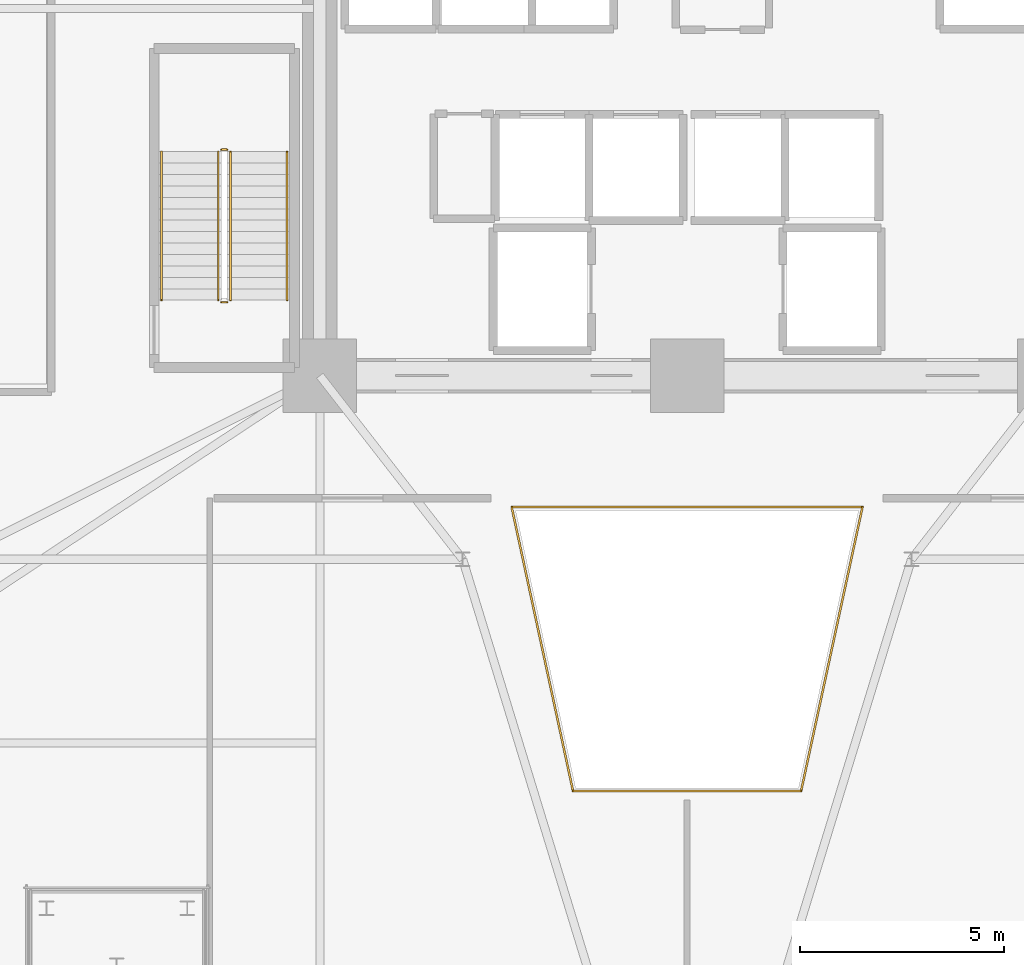
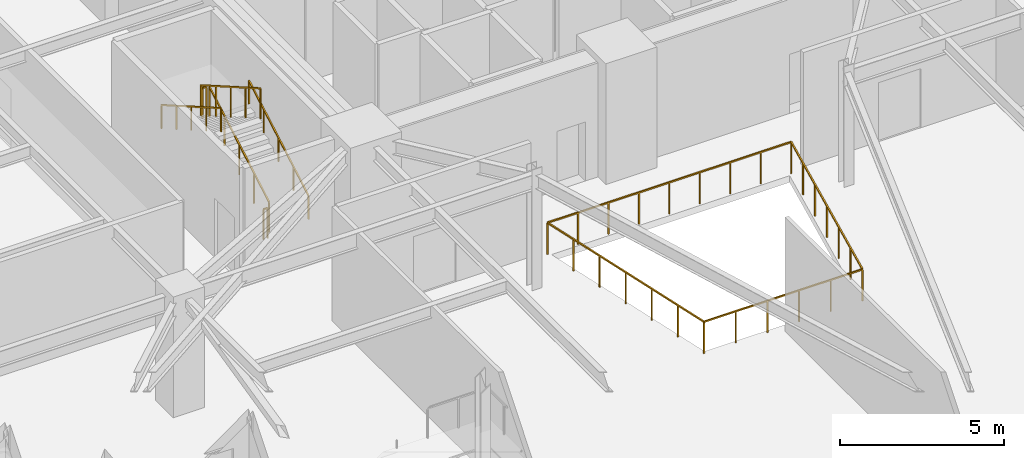
# One storey, part 12 of 16: 10 railings.
"""IFC4 building model written with IfcOpenShell, lengths in metres."""

from ifc_helpers import new_model, si_unit, direction, frame, origin, origin_2d, place, context, subcontext, project, spatial, rectangle, extrude, material, type_object, element, save


model = new_model("IFC4")

# Units and contexts
model_context = context("Model", 3, precision=1e-05, world=origin(), true_north=direction((0.0, 1.0)))
body_context = subcontext(model_context, "Body", "Model", "MODEL_VIEW")
ifc_project = project(units=[si_unit("LENGTHUNIT", "METRE"), si_unit("AREAUNIT", "SQUARE_METRE"), si_unit("VOLUMEUNIT", "CUBIC_METRE"), si_unit("PLANEANGLEUNIT", "RADIAN"), si_unit("MASSUNIT", "GRAM", prefix="KILO")], contexts=[model_context])

# Site, building, storey
site_placement = place(None, origin())
site = spatial("IfcSite", under=ifc_project, at=site_placement, CompositionType="ELEMENT")
building_placement = place(site_placement, origin())
building = spatial("IfcBuilding", under=site, at=building_placement, Name="Liaohun Quay Tower", CompositionType="ELEMENT")
storey_placement = place(building_placement, frame((0.0, 0.0, 14.39990234375)))
storey = spatial("IfcBuildingStorey", under=building, at=storey_placement, Name="L04", CompositionType="ELEMENT", Elevation=14.39990234375)

# Railings
ifc_material_1 = material(Name="Laminated safety glass and stainless steel", Category="steel")
railing_type_1 = type_object("IfcRailingType", Name="RLG-GUARD-ATR", PredefinedType="BALUSTRADE", material=ifc_material_1)
railing_1_placement = place(storey_placement, frame((57.205078125, 36.320068359375, 0.0)))
element("IfcRailing", 1, at=railing_1_placement, inside=storey, type_object=railing_type_1, Name="L04 Atrium Edge Balustrade 1", PredefinedType="BALUSTRADE", context=body_context, shape_type="SweptSolid", body=[
    extrude(rectangle(XDim=0.048095703125, YDim=0.048095703125, at=origin_2d()), frame((0.0, 0.0, 1.17578125), z_axis=(-0.211238067479, 0.977434641727, 0.0), x_axis=(-0.977434641727, -0.211238067479, 0.0)), (0.0, 0.0, 1.0), 7.12060546875),
    extrude(rectangle(XDim=0.0419921875, YDim=0.0419921875, at=origin_2d()), origin(), (0.0, 0.0, 1.0), 1.15185546875),
    extrude(rectangle(XDim=0.0419921875, YDim=0.0419921875, at=origin_2d()), frame((-0.250732421875, 1.159912109375, 0.0)), (0.0, 0.0, 1.0), 1.15185546875),
    extrude(rectangle(XDim=0.0419921875, YDim=0.0419921875, at=origin_2d()), frame((-0.50146484375, 2.320068359375, 0.0)), (0.0, 0.0, 1.0), 1.15185546875),
    extrude(rectangle(XDim=0.0419921875, YDim=0.0419921875, at=origin_2d()), frame((-0.751953125, 3.47998046875, 0.0)), (0.0, 0.0, 1.0), 1.15185546875),
    extrude(rectangle(XDim=0.0419921875, YDim=0.0419921875, at=origin_2d()), frame((-1.002685546875, 4.639892578125, 0.0)), (0.0, 0.0, 1.0), 1.15185546875),
    extrude(rectangle(XDim=0.0419921875, YDim=0.0419921875, at=origin_2d()), frame((-1.25341796875, 5.800048828125, 0.0)), (0.0, 0.0, 1.0), 1.15185546875),
    extrude(rectangle(XDim=0.0419921875, YDim=0.0419921875, at=origin_2d()), frame((-1.504150390625, 6.9599609375, 0.0)), (0.0, 0.0, 1.0), 1.15185546875),
])
railing_2_placement = place(storey_placement, frame((55.700927734375, 43.280029296875, 0.0)))
element("IfcRailing", 2, at=railing_2_placement, inside=storey, type_object=railing_type_1, Name="L04 Atrium Edge Balustrade 2", PredefinedType="BALUSTRADE", context=body_context, shape_type="SweptSolid", body=[
    extrude(rectangle(XDim=0.048095703125, YDim=0.048095703125, at=origin_2d()), frame((0.0, 0.0, 1.17578125), z_axis=(1.0, 0.0, 0.0), x_axis=(0.0, 1.0, 0.0)), (0.0, 0.0, 1.0), 8.59814453125),
    extrude(rectangle(XDim=0.0419921875, YDim=0.0419921875, at=origin_2d()), origin(), (0.0, 0.0, 1.0), 1.15185546875),
    extrude(rectangle(XDim=0.0419921875, YDim=0.0419921875, at=origin_2d()), frame((1.07470703125, 0.0, 0.0)), (0.0, 0.0, 1.0), 1.15185546875),
    extrude(rectangle(XDim=0.0419921875, YDim=0.0419921875, at=origin_2d()), frame((2.1494140625, 0.0, 0.0)), (0.0, 0.0, 1.0), 1.15185546875),
    extrude(rectangle(XDim=0.0419921875, YDim=0.0419921875, at=origin_2d()), frame((3.224365234375, 0.0, 0.0)), (0.0, 0.0, 1.0), 1.15185546875),
    extrude(rectangle(XDim=0.0419921875, YDim=0.0419921875, at=origin_2d()), frame((4.299072265625, 0.0, 0.0)), (0.0, 0.0, 1.0), 1.15185546875),
    extrude(rectangle(XDim=0.0419921875, YDim=0.0419921875, at=origin_2d()), frame((5.373779296875, 0.0, 0.0)), (0.0, 0.0, 1.0), 1.15185546875),
    extrude(rectangle(XDim=0.0419921875, YDim=0.0419921875, at=origin_2d()), frame((6.44873046875, 0.0, 0.0)), (0.0, 0.0, 1.0), 1.15185546875),
    extrude(rectangle(XDim=0.0419921875, YDim=0.0419921875, at=origin_2d()), frame((7.5234375, 0.0, 0.0)), (0.0, 0.0, 1.0), 1.15185546875),
    extrude(rectangle(XDim=0.0419921875, YDim=0.0419921875, at=origin_2d()), frame((8.59814453125, 0.0, 0.0)), (0.0, 0.0, 1.0), 1.15185546875),
])
railing_3_placement = place(storey_placement, frame((64.299072265625, 43.280029296875, 0.0)))
element("IfcRailing", 3, at=railing_3_placement, inside=storey, type_object=railing_type_1, Name="L04 Atrium Edge Balustrade 3", PredefinedType="BALUSTRADE", context=body_context, shape_type="SweptSolid", body=[
    extrude(rectangle(XDim=0.048095703125, YDim=0.048095703125, at=origin_2d()), frame((0.0, 0.0, 1.17578125), z_axis=(-0.211238067479, -0.977434641727, 0.0), x_axis=(0.977434641727, -0.211238067479, 0.0)), (0.0, 0.0, 1.0), 7.12060546875),
    extrude(rectangle(XDim=0.0419921875, YDim=0.0419921875, at=origin_2d()), origin(), (0.0, 0.0, 1.0), 1.15185546875),
    extrude(rectangle(XDim=0.0419921875, YDim=0.0419921875, at=origin_2d()), frame((-0.250732421875, -1.159912109375, 0.0)), (0.0, 0.0, 1.0), 1.15185546875),
    extrude(rectangle(XDim=0.0419921875, YDim=0.0419921875, at=origin_2d()), frame((-0.50146484375, -2.320068359375, 0.0)), (0.0, 0.0, 1.0), 1.15185546875),
    extrude(rectangle(XDim=0.0419921875, YDim=0.0419921875, at=origin_2d()), frame((-0.751953125, -3.47998046875, 0.0)), (0.0, 0.0, 1.0), 1.15185546875),
    extrude(rectangle(XDim=0.0419921875, YDim=0.0419921875, at=origin_2d()), frame((-1.002685546875, -4.639892578125, 0.0)), (0.0, 0.0, 1.0), 1.15185546875),
    extrude(rectangle(XDim=0.0419921875, YDim=0.0419921875, at=origin_2d()), frame((-1.25341796875, -5.800048828125, 0.0)), (0.0, 0.0, 1.0), 1.15185546875),
    extrude(rectangle(XDim=0.0419921875, YDim=0.0419921875, at=origin_2d()), frame((-1.504150390625, -6.9599609375, 0.0)), (0.0, 0.0, 1.0), 1.15185546875),
])
railing_4_placement = place(storey_placement, frame((62.794921875, 36.320068359375, 0.0)))
element("IfcRailing", 4, at=railing_4_placement, inside=storey, type_object=railing_type_1, Name="L04 Atrium Edge Balustrade 4", PredefinedType="BALUSTRADE", context=body_context, shape_type="SweptSolid", body=[
    extrude(rectangle(XDim=0.048095703125, YDim=0.048095703125, at=origin_2d()), frame((0.0, 0.0, 1.17578125), z_axis=(-1.0, 0.0, 0.0), x_axis=(0.0, -1.0, 0.0)), (0.0, 0.0, 1.0), 5.58984375),
    extrude(rectangle(XDim=0.0419921875, YDim=0.0419921875, at=origin_2d()), origin(), (0.0, 0.0, 1.0), 1.15185546875),
    extrude(rectangle(XDim=0.0419921875, YDim=0.0419921875, at=origin_2d()), frame((-1.117919921875, 0.0, 0.0)), (0.0, 0.0, 1.0), 1.15185546875),
    extrude(rectangle(XDim=0.0419921875, YDim=0.0419921875, at=origin_2d()), frame((-2.23583984375, 0.0, 0.0)), (0.0, 0.0, 1.0), 1.15185546875),
    extrude(rectangle(XDim=0.0419921875, YDim=0.0419921875, at=origin_2d()), frame((-3.35400390625, 0.0, 0.0)), (0.0, 0.0, 1.0), 1.15185546875),
    extrude(rectangle(XDim=0.0419921875, YDim=0.0419921875, at=origin_2d()), frame((-4.471923828125, 0.0, 0.0)), (0.0, 0.0, 1.0), 1.15185546875),
    extrude(rectangle(XDim=0.0419921875, YDim=0.0419921875, at=origin_2d()), frame((-5.58984375, 0.0, 0.0)), (0.0, 0.0, 1.0), 1.15185546875),
])
ifc_material_2 = material(Name="Painted tubular steel", Category="steel")
railing_type_2 = type_object("IfcRailingType", Name="RLG-GUARD-STR", PredefinedType="GUARDRAIL", material=ifc_material_2)
railing_5_placement = place(storey_placement, frame((48.81005859375, 48.35009765625, 0.160888671875)))
element("IfcRailing", 5, at=railing_5_placement, inside=storey, type_object=railing_type_2, Name="L04 ST-1 stair guard 1", PredefinedType="GUARDRAIL", context=body_context, shape_type="SweptSolid", body=[
    extrude(rectangle(XDim=0.048095703125, YDim=0.048095703125, at=origin_2d()), frame((0.0, 0.0, 1.1259765625), z_axis=(0.0, 0.867300072446, 0.497785681127), x_axis=(-1.0, 0.0, 0.0)), (0.0, 0.0, 1.0), 4.19677734375),
    extrude(rectangle(XDim=0.0419921875, YDim=0.0419921875, at=origin_2d()), origin(), (0.0, 0.0, 1.0), 1.101806640625),
    extrude(rectangle(XDim=0.0419921875, YDim=0.0419921875, at=origin_2d()), frame((0.0, 0.909912109375, 0.522216796875)), (0.0, 0.0, 1.0), 1.101806640625),
    extrude(rectangle(XDim=0.0419921875, YDim=0.0419921875, at=origin_2d()), frame((0.0, 1.81982421875, 1.04443359375)), (0.0, 0.0, 1.0), 1.101806640625),
    extrude(rectangle(XDim=0.0419921875, YDim=0.0419921875, at=origin_2d()), frame((0.0, 2.72998046875, 1.56689453125)), (0.0, 0.0, 1.0), 1.101806640625),
    extrude(rectangle(XDim=0.0419921875, YDim=0.0419921875, at=origin_2d()), frame((0.0, 3.639892578125, 2.089111328125)), (0.0, 0.0, 1.0), 1.101806640625),
])
railing_6_placement = place(storey_placement, frame((48.72998046875, 52.0400390625, 2.25)))
element("IfcRailing", 6, at=railing_6_placement, inside=storey, type_object=railing_type_2, Name="L04 ST-1 stair guard 2", PredefinedType="GUARDRAIL", context=body_context, shape_type="SweptSolid", body=[
    extrude(rectangle(XDim=0.048095703125, YDim=0.048095703125, at=origin_2d()), frame((0.0, 0.0, 1.1259765625), z_axis=(-1.0, 0.0, 0.0), x_axis=(0.0, -1.0, 0.0)), (0.0, 0.0, 1.0), 0.139892578125),
    extrude(rectangle(XDim=0.0419921875, YDim=0.0419921875, at=origin_2d()), origin(), (0.0, 0.0, 1.0), 1.101806640625),
    extrude(rectangle(XDim=0.0419921875, YDim=0.0419921875, at=origin_2d()), frame((-0.139892578125, 0.0, 0.0)), (0.0, 0.0, 1.0), 1.101806640625),
])
railing_7_placement = place(storey_placement, frame((48.510009765625, 51.989990234375, 2.410888671875)))
element("IfcRailing", 7, at=railing_7_placement, inside=storey, type_object=railing_type_2, Name="L04 ST-1 stair guard 3", PredefinedType="GUARDRAIL", context=body_context, shape_type="SweptSolid", body=[
    extrude(rectangle(XDim=0.048095703125, YDim=0.048095703125, at=origin_2d()), frame((0.0, 0.0, 1.1259765625), z_axis=(0.0, -0.867300072446, 0.497785681127), x_axis=(1.0, 0.0, 0.0)), (0.0, 0.0, 1.0), 4.19677734375),
    extrude(rectangle(XDim=0.0419921875, YDim=0.0419921875, at=origin_2d()), origin(), (0.0, 0.0, 1.0), 1.101806640625),
    extrude(rectangle(XDim=0.0419921875, YDim=0.0419921875, at=origin_2d()), frame((0.0, -0.909912109375, 0.522216796875)), (0.0, 0.0, 1.0), 1.101806640625),
    extrude(rectangle(XDim=0.0419921875, YDim=0.0419921875, at=origin_2d()), frame((0.0, -1.81982421875, 1.04443359375)), (0.0, 0.0, 1.0), 1.101806640625),
    extrude(rectangle(XDim=0.0419921875, YDim=0.0419921875, at=origin_2d()), frame((0.0, -2.72998046875, 1.56689453125)), (0.0, 0.0, 1.0), 1.101806640625),
    extrude(rectangle(XDim=0.0419921875, YDim=0.0419921875, at=origin_2d()), frame((0.0, -3.639892578125, 2.089111328125)), (0.0, 0.0, 1.0), 1.101806640625),
])
railing_8_placement = place(storey_placement, frame((48.72998046875, 48.300048828125, 0.0)))
element("IfcRailing", 8, at=railing_8_placement, inside=storey, type_object=railing_type_2, Name="L04 ST-1 stair guard 4", PredefinedType="GUARDRAIL", context=body_context, shape_type="SweptSolid", body=[
    extrude(rectangle(XDim=0.048095703125, YDim=0.048095703125, at=origin_2d()), frame((0.0, 0.0, 1.1259765625), z_axis=(-1.0, 0.0, 0.0), x_axis=(0.0, -1.0, 0.0)), (0.0, 0.0, 1.0), 0.139892578125),
    extrude(rectangle(XDim=0.0419921875, YDim=0.0419921875, at=origin_2d()), origin(), (0.0, 0.0, 1.0), 1.101806640625),
    extrude(rectangle(XDim=0.0419921875, YDim=0.0419921875, at=origin_2d()), frame((-0.139892578125, 0.0, 0.0)), (0.0, 0.0, 1.0), 1.101806640625),
])
ifc_material_3 = material(Name="Brushed stainless steel", Category="steel")
railing_type_3 = type_object("IfcRailingType", Name="RLG-HND-STR", PredefinedType="HANDRAIL", material=ifc_material_3)
railing_9_placement = place(storey_placement, frame((50.199951171875, 48.35009765625, 0.160888671875)))
element("IfcRailing", 9, at=railing_9_placement, inside=storey, type_object=railing_type_3, Name="L04 ST-1 stair handrail 1", PredefinedType="HANDRAIL", context=body_context, shape_type="SweptSolid", body=[
    extrude(rectangle(XDim=0.048095703125, YDim=0.048095703125, at=origin_2d()), frame((0.0, 0.0, 0.8759765625), z_axis=(0.0, 0.867300072446, 0.497785681127), x_axis=(-1.0, 0.0, 0.0)), (0.0, 0.0, 1.0), 4.19677734375),
    extrude(rectangle(XDim=0.0419921875, YDim=0.0419921875, at=origin_2d()), origin(), (0.0, 0.0, 1.0), 0.851806640625),
    extrude(rectangle(XDim=0.0419921875, YDim=0.0419921875, at=origin_2d()), frame((0.0, 0.909912109375, 0.522216796875)), (0.0, 0.0, 1.0), 0.851806640625),
    extrude(rectangle(XDim=0.0419921875, YDim=0.0419921875, at=origin_2d()), frame((0.0, 1.81982421875, 1.04443359375)), (0.0, 0.0, 1.0), 0.851806640625),
    extrude(rectangle(XDim=0.0419921875, YDim=0.0419921875, at=origin_2d()), frame((0.0, 2.72998046875, 1.56689453125)), (0.0, 0.0, 1.0), 0.851806640625),
    extrude(rectangle(XDim=0.0419921875, YDim=0.0419921875, at=origin_2d()), frame((0.0, 3.639892578125, 2.089111328125)), (0.0, 0.0, 1.0), 0.851806640625),
])
railing_10_placement = place(storey_placement, frame((47.1201171875, 51.989990234375, 2.410888671875)))
element("IfcRailing", 10, at=railing_10_placement, inside=storey, type_object=railing_type_3, Name="L04 ST-1 stair handrail 2", PredefinedType="HANDRAIL", context=body_context, shape_type="SweptSolid", body=[
    extrude(rectangle(XDim=0.048095703125, YDim=0.048095703125, at=origin_2d()), frame((0.0, 0.0, 0.8759765625), z_axis=(0.0, -0.867300072446, 0.497785681127), x_axis=(1.0, 0.0, 0.0)), (0.0, 0.0, 1.0), 4.19677734375),
    extrude(rectangle(XDim=0.0419921875, YDim=0.0419921875, at=origin_2d()), origin(), (0.0, 0.0, 1.0), 0.851806640625),
    extrude(rectangle(XDim=0.0419921875, YDim=0.0419921875, at=origin_2d()), frame((0.0, -0.909912109375, 0.522216796875)), (0.0, 0.0, 1.0), 0.851806640625),
    extrude(rectangle(XDim=0.0419921875, YDim=0.0419921875, at=origin_2d()), frame((0.0, -1.81982421875, 1.04443359375)), (0.0, 0.0, 1.0), 0.851806640625),
    extrude(rectangle(XDim=0.0419921875, YDim=0.0419921875, at=origin_2d()), frame((0.0, -2.72998046875, 1.56689453125)), (0.0, 0.0, 1.0), 0.851806640625),
    extrude(rectangle(XDim=0.0419921875, YDim=0.0419921875, at=origin_2d()), frame((0.0, -3.639892578125, 2.089111328125)), (0.0, 0.0, 1.0), 0.851806640625),
])

save(model, "model.ifc")
